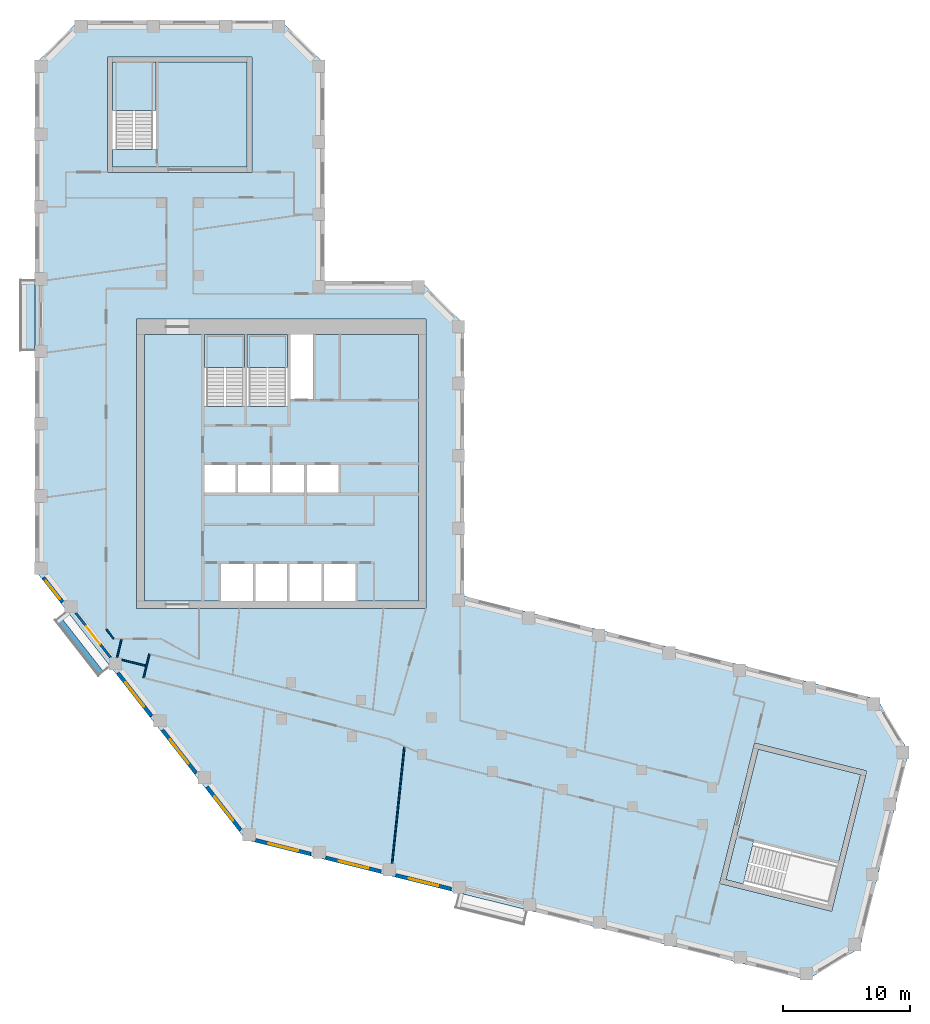
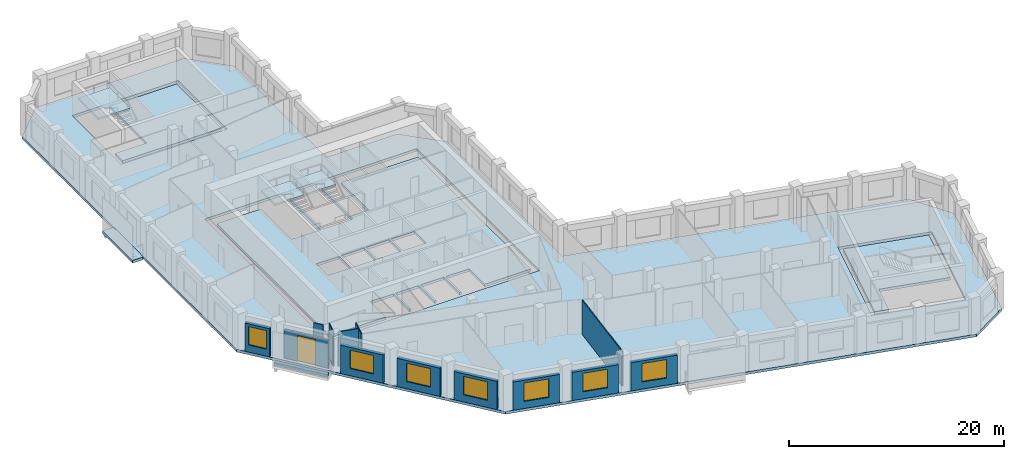
# One storey, part 2 of 9: 14 walls, 8 slabs, 7 windows, 1 door, 8 openings, 3 elements without a shape of their own.
"""IFC4 building model written with IfcOpenShell, lengths in metres."""

from ifc_helpers import new_model, si_unit, direction, frame, frame_2d, origin, place, context, subcontext, project, spatial, polyline, rectangle, outline, extrude, material, layer, layer_set, type_object, element, fill, aggregate, save


model = new_model("IFC4")

# Units and contexts
model_context = context("Model", 3, precision=1e-05, world=origin(), true_north=direction((0.0, 1.0)))
body_context = subcontext(model_context, "Body", "Model", "MODEL_VIEW")
ifc_project = project(units=[si_unit("LENGTHUNIT", "METRE"), si_unit("AREAUNIT", "SQUARE_METRE"), si_unit("VOLUMEUNIT", "CUBIC_METRE"), si_unit("PLANEANGLEUNIT", "RADIAN"), si_unit("MASSUNIT", "GRAM", prefix="KILO")], contexts=[model_context])

# Site, building, storey
site_placement = place(None, origin())
site = spatial("IfcSite", under=ifc_project, at=site_placement, CompositionType="ELEMENT")
building_placement = place(site_placement, origin())
building = spatial("IfcBuilding", under=site, at=building_placement, Name="Meshkara Civic Tower", CompositionType="ELEMENT")
storey_placement = place(building_placement, frame((0.0, 0.0, 319.199951171875)))
storey = spatial("IfcBuildingStorey", under=building, at=storey_placement, Name="L73", CompositionType="ELEMENT", Elevation=319.199951171875)

# Slabs
ifc_material_1 = material(Name="Concrete C40", Category="concrete")
ifc_layer_1 = layer(ifc_material_1, 0.300048828125)
ifc_layer_set_1 = layer_set([ifc_layer_1], Name="BALCONY SLAB")
slab_type_1 = type_object("IfcSlabType", Name="BALCONY SLAB", PredefinedType="FLOOR", material=ifc_layer_set_1)
slab_1_placement = place(storey_placement, frame((0.0, 0.0, -0.300048828125)))
element("IfcSlab", 1, at=slab_1_placement, inside=storey, type_object=slab_type_1, Name="Balcony slab", PredefinedType="FLOOR", context=body_context, shape_type="SweptSolid", body=[
    extrude(outline(polyline([(-1.199951171875, 34.4150390625), (-1.199951171875, 39.9951171875), (-0.050048828125, 39.9951171875), (-0.050048828125, 39.554931640625), (0.0, 39.554931640625), (0.0, 34.85498046875), (-0.050048828125, 34.85498046875), (-0.050048828125, 34.4150390625), (-1.199951171875, 34.4150390625)])), origin(), (0.0, 0.0, 1.0), 0.300048828125),
])
ifc_material_2 = material(Name="Concrete C40/50", Category="concrete")
ifc_layer_2 = layer(ifc_material_2, 0.300048828125)
ifc_layer_set_2 = layer_set([ifc_layer_2], Name="Core floor slab 300 C40/50")
slab_type_2 = type_object("IfcSlabType", Name="Core floor slab 300 C40/50", PredefinedType="FLOOR", material=ifc_layer_set_2)
slab_2_placement = place(storey_placement, frame((0.0, 0.0, -0.300048828125)))
element("IfcSlab", 2, at=slab_2_placement, inside=storey, type_object=slab_type_2, Name="Core floor K", PredefinedType="FLOOR", context=body_context, shape_type="SweptSolid", body=[
    extrude(outline(polyline([(8.60009765625, 35.699951171875), (13.35009765625, 35.699951171875), (13.35009765625, 30.00146484375), (16.5, 30.00146484375), (16.5, 35.699951171875), (16.699951171875, 35.699951171875), (16.699951171875, 30.00146484375), (19.89990234375, 30.00146484375), (19.89990234375, 35.699951171875), (20.10009765625, 35.699951171875), (20.10009765625, 30.574951171875), (21.925048828125, 30.574951171875), (21.925048828125, 35.699951171875), (30.199951171875, 35.699951171875), (30.199951171875, 14.699951171875), (25.25, 14.699951171875), (25.25, 17.60009765625), (22.75, 17.60009765625), (22.75, 14.699951171875), (22.550048828125, 14.699951171875), (22.550048828125, 17.60009765625), (20.050048828125, 17.60009765625), (20.050048828125, 14.699951171875), (19.85009765625, 14.699951171875), (19.85009765625, 17.60009765625), (17.35009765625, 17.60009765625), (17.35009765625, 14.699951171875), (17.14990234375, 14.699951171875), (17.14990234375, 17.60009765625), (14.64990234375, 17.60009765625), (14.64990234375, 14.699951171875), (8.60009765625, 14.699951171875), (8.60009765625, 35.699951171875)]), holes=[polyline([(13.35009765625, 23.25), (15.800048828125, 23.25), (15.800048828125, 25.39990234375), (13.35009765625, 25.39990234375), (13.35009765625, 23.25)]), polyline([(18.5, 23.25), (18.5, 25.39990234375), (16.0, 25.39990234375), (16.0, 23.25), (18.5, 23.25)]), polyline([(18.699951171875, 23.25), (21.199951171875, 23.25), (21.199951171875, 25.39990234375), (18.699951171875, 25.39990234375), (18.699951171875, 23.25)]), polyline([(21.39990234375, 23.25), (23.89990234375, 23.25), (23.89990234375, 25.39990234375), (21.39990234375, 25.39990234375), (21.39990234375, 23.25)])]), origin(), (0.0, 0.0, 1.0), 0.300048828125),
])
slab_3_placement = place(storey_placement, frame((0.0, 0.0, -0.300048828125)))
element("IfcSlab", 3, at=slab_3_placement, inside=storey, type_object=slab_type_2, Name="Core floor EA", PredefinedType="FLOOR", context=body_context, shape_type="SweptSolid", body=[
    extrude(outline(polyline([(16.699951171875, 48.8701171875), (16.699951171875, 57.169921875), (9.5, 57.169921875), (9.5, 50.271484375), (6.10009765625, 50.271484375), (6.10009765625, 48.8701171875), (16.699951171875, 48.8701171875)])), origin(), (0.0, 0.0, 1.0), 0.300048828125),
])
slab_4_placement = place(storey_placement, frame((0.0, 0.0, -0.300048828125)))
element("IfcSlab", 4, at=slab_4_placement, inside=storey, type_object=slab_type_2, Name="Core floor EB", PredefinedType="FLOOR", context=body_context, shape_type="SweptSolid", body=[
    extrude(outline(polyline([(56.989013671875, 3.002197265625), (65.04248046875, 0.994384765625), (63.30078125, -5.99169921875), (56.607177734375, -4.322998046875), (55.78466796875, -7.621826171875), (54.4248046875, -7.282958984375), (56.989013671875, 3.002197265625)])), origin(), (0.0, 0.0, 1.0), 0.300048828125),
])

# Stair, slab
ifc_material_3 = material(Name="Precast concrete C40/50", Category="concrete")
stair_type = type_object("IfcStairType", Name="Exit stair half-turn 24 risers precast", PredefinedType="HALF_TURN_STAIR", material=ifc_material_3)
stair_1_placement = place(storey_placement, origin())
stair_1 = element("IfcStair", 5, at=stair_1_placement, inside=storey, type_object=stair_type, Name="L73 exit stair 1", PredefinedType="HALF_TURN_STAIR")
ifc_material_4 = material(Name="Precast concrete C40/50", Category="concrete")
ifc_layer_3 = layer(ifc_material_4, 0.199951171875)
ifc_layer_set_3 = layer_set([ifc_layer_3], Name="Exit stair landing 200")
slab_type_3 = type_object("IfcSlabType", Name="Exit stair landing 200", PredefinedType="LANDING", material=ifc_layer_set_3)
slab_5_placement = place(storey_placement, frame((0.0, 0.0, 1.900146484375)))
slab_5 = element("IfcSlab", 6, at=slab_5_placement, type_object=slab_type_3, Name="ST1 landing 1", PredefinedType="LANDING", context=body_context, shape_type="SweptSolid", body=[
    extrude(outline(polyline([(16.5, 33.07861328125), (16.5, 35.699951171875), (13.35009765625, 35.699951171875), (13.35009765625, 33.07861328125), (16.5, 33.07861328125)])), origin(), (0.0, 0.0, 1.0), 0.199951171875),
])
aggregate(stair_1, [slab_5])

stair_2_placement = place(storey_placement, origin())
stair_2 = element("IfcStair", 7, at=stair_2_placement, inside=storey, type_object=stair_type, Name="L73 exit stair 2", PredefinedType="HALF_TURN_STAIR")
slab_6_placement = place(storey_placement, frame((0.0, 0.0, 1.900146484375)))
slab_6 = element("IfcSlab", 8, at=slab_6_placement, type_object=slab_type_3, Name="ST2 landing 1", PredefinedType="LANDING", context=body_context, shape_type="SweptSolid", body=[
    extrude(outline(polyline([(19.89990234375, 33.07861328125), (19.89990234375, 35.699951171875), (16.699951171875, 35.699951171875), (16.699951171875, 33.07861328125), (19.89990234375, 33.07861328125)])), origin(), (0.0, 0.0, 1.0), 0.199951171875),
])
aggregate(stair_2, [slab_6])

stair_3_placement = place(storey_placement, origin())
stair_3 = element("IfcStair", 9, at=stair_3_placement, inside=storey, type_object=stair_type, Name="L73 exit stair A from L65", PredefinedType="HALF_TURN_STAIR")
slab_7_placement = place(storey_placement, frame((0.0, 0.0, 1.900146484375)))
slab_7 = element("IfcSlab", 10, at=slab_7_placement, type_object=slab_type_3, Name="ESA5 landing 1", PredefinedType="LANDING", context=body_context, shape_type="SweptSolid", body=[
    extrude(outline(polyline([(9.5, 53.348388671875), (9.5, 57.169921875), (6.10009765625, 57.169921875), (6.10009765625, 53.348388671875), (9.5, 53.348388671875)])), origin(), (0.0, 0.0, 1.0), 0.199951171875),
])
aggregate(stair_3, [slab_7])

# Slab
ifc_material_5 = material(Name="Concrete C50", Category="concrete")
ifc_layer_4 = layer(ifc_material_5, 0.300048828125)
ifc_layer_set_4 = layer_set([ifc_layer_4], Name="Post-tensioned flat slab 300 C50")
slab_type_4 = type_object("IfcSlabType", Name="Post-tensioned flat slab 300 C50", PredefinedType="FLOOR", material=ifc_layer_set_4)
slab_8_placement = place(storey_placement, frame((0.0, 0.0, -0.300048828125)))
element("IfcSlab", 11, at=slab_8_placement, inside=storey, type_object=slab_type_4, Name="Post-tensioned flat slab L73", PredefinedType="FLOOR", context=body_context, shape_type="SweptSolid", body=[
    extrude(outline(polyline([(64.98291015625, -12.677001953125), (60.837890625, -15.1689453125), (16.592041015625, -4.136962890625), (0.0, 17.10009765625), (0.0, 57.0), (3.419921875, 60.419921875), (19.3798828125, 60.419921875), (22.800048828125, 57.0), (22.800048828125, 39.89990234375), (30.3798828125, 39.89990234375), (33.800048828125, 36.47998046875), (33.800048828125, 15.071044921875), (66.35302734375, 6.9541015625), (68.843994140625, 2.80810546875), (64.98291015625, -12.677001953125)]), holes=[polyline([(62.77001953125, -9.77587890625), (65.527099609375, 1.285888671875), (56.697998046875, 3.487060546875), (53.93994140625, -7.573974609375), (62.77001953125, -9.77587890625)]), polyline([(8.0, 14.10009765625), (30.800048828125, 14.10009765625), (30.800048828125, 36.89990234375), (8.0, 36.89990234375), (8.0, 14.10009765625)]), polyline([(5.699951171875, 57.570068359375), (5.699951171875, 48.469970703125), (17.10009765625, 48.469970703125), (17.10009765625, 57.570068359375), (5.699951171875, 57.570068359375)])]), origin(), (0.0, 0.0, 1.0), 0.300048828125),
])

# Walls
ifc_material_6 = material(Name="Corridor wall 100")
ifc_layer_5 = layer(ifc_material_6, 0.10009765625)
ifc_layer_set_5 = layer_set([ifc_layer_5], Name="Corridor wall 100")
wall_type_1 = type_object("IfcWallType", Name="Corridor wall 100", PredefinedType="PARTITIONING", material=ifc_layer_set_5)
wall_1_placement = place(storey_placement, frame((5.60009765625, 12.449951171875, 0.0), z_axis=(0.0, 0.0, 1.0), x_axis=(0.615644041972, -0.788024373725, 0.0)))
element("IfcWall", 12, at=wall_1_placement, inside=storey, type_object=wall_type_1, Name="L73-W004", PredefinedType="PARTITIONING", context=body_context, shape_type="SweptSolid", body=[
    extrude(rectangle(XDim=0.95166015625, YDim=0.10009765625, at=frame_2d((0.475830078125, 0.0))), origin(), (0.0, 0.0, 1.0), 3.900146484375),
])
wall_2_placement = place(storey_placement, frame((9.001953125, 10.4990234375, 0.0), z_axis=(0.0, 0.0, 1.0), x_axis=(-0.241940418317, -0.970291107856, 0.0)))
element("IfcWall", 13, at=wall_2_placement, inside=storey, type_object=wall_type_1, Name="L73-W009", PredefinedType="PARTITIONING", context=body_context, shape_type="SweptSolid", body=[
    extrude(rectangle(XDim=1.930419921875, YDim=0.10009765625, at=frame_2d((0.96533203125, 0.0))), origin(), (0.0, 0.0, 1.0), 3.900146484375),
])

# Wall, opening, window
ifc_material_7 = material(Name="Insulated infill panel with bronze anodised aluminium cladding", Category="aluminium")
ifc_layer_6 = layer(ifc_material_7, 0.300048828125)
ifc_layer_set_6 = layer_set([ifc_layer_6], Name="EXTERNAL INFILL WALL 300")
wall_type_2 = type_object("IfcWallType", Name="EXTERNAL INFILL WALL 300", PredefinedType="SOLIDWALL", material=ifc_layer_set_6)
wall_3_placement = place(storey_placement, frame((0.64599609375, 16.51708984375, 0.0), z_axis=(0.0, 0.0, 1.0), x_axis=(0.615610986717, -0.788050197026, 0.0)))
wall_3 = element("IfcWall", 14, at=wall_3_placement, inside=storey, type_object=wall_type_2, Name="External wall", PredefinedType="SOLIDWALL", context=body_context, shape_type="SweptSolid", body=[
    extrude(rectangle(XDim=2.4365234375, YDim=0.300048828125, at=frame_2d((1.21826171875, 0.0))), origin(), (0.0, 0.0, 1.0), 3.199951171875),
])
opening_1_placement = place(wall_3_placement, frame((0.318115234375, 0.0, 0.800048828125)))
opening_1 = element("IfcOpeningElement", 15, at=opening_1_placement, cuts=wall_3, Name="Opening W9", PredefinedType="OPENING", context=body_context, shape_type="SweptSolid", body=[
    extrude(rectangle(XDim=1.800048828125, YDim=2.10009765625, at=frame_2d((0.89990234375, 1.050048828125))), frame((0.0, 0.159912109375, 0.0), z_axis=(0.0, -1.0, 0.0), x_axis=(1.0, 0.0, 0.0)), (0.0, 0.0, 1.0), 0.320068359375),
])
ifc_material_8 = material(Name="Tinted double glazing", Category="glass")
window_type_1 = type_object("IfcWindowType", Name="WINDOW 1800x2100", PartitioningType="DOUBLE_PANEL_VERTICAL", PredefinedType="WINDOW", material=ifc_material_8)
window_1_placement = place(opening_1_placement, origin())
window_1 = element("IfcWindow", 16, at=window_1_placement, inside=storey, type_object=window_type_1, Name="Window", OverallHeight=2.10009765625, OverallWidth=1.800048828125, PartitioningType="DOUBLE_PANEL_VERTICAL", PredefinedType="WINDOW", context=body_context, shape_type="SweptSolid", body=[
    extrude(rectangle(XDim=1.800048828125, YDim=2.10009765625, at=frame_2d((0.89990234375, 1.050048828125))), frame((0.0, 0.030029296875, 0.0), z_axis=(0.0, -1.0, 0.0), x_axis=(1.0, 0.0, 0.0)), (0.0, 0.0, 1.0), 0.06005859375),
])
fill(opening_1, window_1)

wall_4_placement = place(storey_placement, frame((6.51904296875, 9.0, 0.0), z_axis=(0.0, 0.0, 1.0), x_axis=(0.615634121154, -0.788032124263, 0.0)))
wall_4 = element("IfcWall", 17, at=wall_4_placement, inside=storey, type_object=wall_type_2, Name="External wall", PredefinedType="SOLIDWALL", context=body_context, shape_type="SweptSolid", body=[
    extrude(rectangle(XDim=4.298095703125, YDim=0.300048828125, at=frame_2d((2.14892578125, 0.0))), origin(), (0.0, 0.0, 1.0), 3.199951171875),
])
opening_2_placement = place(wall_4_placement, frame((0.948974609375, 0.0, 0.800048828125)))
opening_2 = element("IfcOpeningElement", 18, at=opening_2_placement, cuts=wall_4, Name="Opening W7", PredefinedType="OPENING", context=body_context, shape_type="SweptSolid", body=[
    extrude(rectangle(XDim=2.39990234375, YDim=2.10009765625, at=frame_2d((1.199951171875, 1.050048828125))), frame((0.0, 0.159912109375, 0.0), z_axis=(0.0, -1.0, 0.0), x_axis=(1.0, 0.0, 0.0)), (0.0, 0.0, 1.0), 0.320068359375),
])
ifc_material_9 = material(Name="Tinted double glazing", Category="glass")
window_type_2 = type_object("IfcWindowType", Name="WINDOW 2400x2100", PartitioningType="DOUBLE_PANEL_VERTICAL", PredefinedType="WINDOW", material=ifc_material_9)
window_2_placement = place(opening_2_placement, origin())
window_2 = element("IfcWindow", 19, at=window_2_placement, inside=storey, type_object=window_type_2, Name="Window", OverallHeight=2.10009765625, OverallWidth=2.39990234375, PartitioningType="DOUBLE_PANEL_VERTICAL", PredefinedType="WINDOW", context=body_context, shape_type="SweptSolid", body=[
    extrude(rectangle(XDim=2.39990234375, YDim=2.10009765625, at=frame_2d((1.199951171875, 1.050048828125))), frame((0.0, 0.030029296875, 0.0), z_axis=(0.0, -1.0, 0.0), x_axis=(1.0, 0.0, 0.0)), (0.0, 0.0, 1.0), 0.06005859375),
])
fill(opening_2, window_2)

wall_5_placement = place(storey_placement, frame((10.029052734375, 4.507080078125, 0.0), z_axis=(0.0, 0.0, 1.0), x_axis=(0.615572343689, -0.788080382756, 0.0)))
wall_5 = element("IfcWall", 20, at=wall_5_placement, inside=storey, type_object=wall_type_2, Name="External wall", PredefinedType="SOLIDWALL", context=body_context, shape_type="SweptSolid", body=[
    extrude(rectangle(XDim=4.295166015625, YDim=0.300048828125, at=frame_2d((2.1474609375, 0.0))), origin(), (0.0, 0.0, 1.0), 3.199951171875),
])
opening_3_placement = place(wall_5_placement, frame((0.947998046875, 0.0, 0.800048828125)))
opening_3 = element("IfcOpeningElement", 21, at=opening_3_placement, cuts=wall_5, Name="Opening W7", PredefinedType="OPENING", context=body_context, shape_type="SweptSolid", body=[
    extrude(rectangle(XDim=2.39990234375, YDim=2.10009765625, at=frame_2d((1.199951171875, 1.050048828125))), frame((0.0, 0.159912109375, 0.0), z_axis=(0.0, -1.0, 0.0), x_axis=(1.0, 0.0, 0.0)), (0.0, 0.0, 1.0), 0.320068359375),
])
window_3_placement = place(opening_3_placement, origin())
window_3 = element("IfcWindow", 22, at=window_3_placement, inside=storey, type_object=window_type_2, Name="Window", OverallHeight=2.10009765625, OverallWidth=2.39990234375, PartitioningType="DOUBLE_PANEL_VERTICAL", PredefinedType="WINDOW", context=body_context, shape_type="SweptSolid", body=[
    extrude(rectangle(XDim=2.39990234375, YDim=2.10009765625, at=frame_2d((1.199951171875, 1.050048828125))), frame((0.0, 0.030029296875, 0.0), z_axis=(0.0, -1.0, 0.0), x_axis=(1.0, 0.0, 0.0)), (0.0, 0.0, 1.0), 0.06005859375),
])
fill(opening_3, window_3)

wall_6_placement = place(storey_placement, frame((13.5380859375, 0.01611328125, 0.0), z_axis=(0.0, 0.0, 1.0), x_axis=(0.615713519567, -0.787970089421, 0.0)))
wall_6 = element("IfcWall", 23, at=wall_6_placement, inside=storey, type_object=wall_type_2, Name="External wall", PredefinedType="SOLIDWALL", context=body_context, shape_type="SweptSolid", body=[
    extrude(rectangle(XDim=4.2958984375, YDim=0.300048828125, at=frame_2d((2.14794921875, 0.0))), origin(), (0.0, 0.0, 1.0), 3.199951171875),
])
opening_4_placement = place(wall_6_placement, frame((0.947998046875, 0.0, 0.800048828125)))
opening_4 = element("IfcOpeningElement", 24, at=opening_4_placement, cuts=wall_6, Name="Opening W7", PredefinedType="OPENING", context=body_context, shape_type="SweptSolid", body=[
    extrude(rectangle(XDim=2.39990234375, YDim=2.10009765625, at=frame_2d((1.199951171875, 1.050048828125))), frame((0.0, 0.159912109375, 0.0), z_axis=(0.0, -1.0, 0.0), x_axis=(1.0, 0.0, 0.0)), (0.0, 0.0, 1.0), 0.320068359375),
])
window_4_placement = place(opening_4_placement, origin())
window_4 = element("IfcWindow", 25, at=window_4_placement, inside=storey, type_object=window_type_2, Name="Window", OverallHeight=2.10009765625, OverallWidth=2.39990234375, PartitioningType="DOUBLE_PANEL_VERTICAL", PredefinedType="WINDOW", context=body_context, shape_type="SweptSolid", body=[
    extrude(rectangle(XDim=2.39990234375, YDim=2.10009765625, at=frame_2d((1.199951171875, 1.050048828125))), frame((0.0, 0.030029296875, 0.0), z_axis=(0.0, -1.0, 0.0), x_axis=(1.0, 0.0, 0.0)), (0.0, 0.0, 1.0), 0.06005859375),
])
fill(opening_4, window_4)

wall_7_placement = place(storey_placement, frame((17.366943359375, -4.176025390625, 0.0), z_axis=(0.0, 0.0, 1.0), x_axis=(0.970327846266, -0.241793032904, 0.0)))
wall_7 = element("IfcWall", 26, at=wall_7_placement, inside=storey, type_object=wall_type_2, Name="External wall", PredefinedType="SOLIDWALL", context=body_context, shape_type="SweptSolid", body=[
    extrude(rectangle(XDim=4.487060546875, YDim=0.300048828125, at=frame_2d((2.24365234375, 0.0))), origin(), (0.0, 0.0, 1.0), 3.199951171875),
])
opening_5_placement = place(wall_7_placement, frame((1.0439453125, 0.0, 0.800048828125)))
opening_5 = element("IfcOpeningElement", 27, at=opening_5_placement, cuts=wall_7, Name="Opening W7", PredefinedType="OPENING", context=body_context, shape_type="SweptSolid", body=[
    extrude(rectangle(XDim=2.39990234375, YDim=2.10009765625, at=frame_2d((1.199951171875, 1.050048828125))), frame((0.0, 0.159912109375, 0.0), z_axis=(0.0, -1.0, 0.0), x_axis=(1.0, 0.0, 0.0)), (0.0, 0.0, 1.0), 0.320068359375),
])
window_5_placement = place(opening_5_placement, origin())
window_5 = element("IfcWindow", 28, at=window_5_placement, inside=storey, type_object=window_type_2, Name="Window", OverallHeight=2.10009765625, OverallWidth=2.39990234375, PartitioningType="DOUBLE_PANEL_VERTICAL", PredefinedType="WINDOW", context=body_context, shape_type="SweptSolid", body=[
    extrude(rectangle(XDim=2.39990234375, YDim=2.10009765625, at=frame_2d((1.199951171875, 1.050048828125))), frame((0.0, 0.030029296875, 0.0), z_axis=(0.0, -1.0, 0.0), x_axis=(1.0, 0.0, 0.0)), (0.0, 0.0, 1.0), 0.06005859375),
])
fill(opening_5, window_5)

wall_8_placement = place(storey_placement, frame((22.89794921875, -5.554931640625, 0.0), z_axis=(0.0, 0.0, 1.0), x_axis=(0.970315118421, -0.24184410467, 0.0)))
wall_8 = element("IfcWall", 29, at=wall_8_placement, inside=storey, type_object=wall_type_2, Name="External wall", PredefinedType="SOLIDWALL", context=body_context, shape_type="SweptSolid", body=[
    extrude(rectangle(XDim=4.486083984375, YDim=0.300048828125, at=frame_2d((2.2431640625, 0.0))), origin(), (0.0, 0.0, 1.0), 3.199951171875),
])
opening_6_placement = place(wall_8_placement, frame((1.0439453125, 0.0, 0.800048828125)))
opening_6 = element("IfcOpeningElement", 30, at=opening_6_placement, cuts=wall_8, Name="Opening W7", PredefinedType="OPENING", context=body_context, shape_type="SweptSolid", body=[
    extrude(rectangle(XDim=2.39990234375, YDim=2.10009765625, at=frame_2d((1.199951171875, 1.050048828125))), frame((0.0, 0.159912109375, 0.0), z_axis=(0.0, -1.0, 0.0), x_axis=(1.0, 0.0, 0.0)), (0.0, 0.0, 1.0), 0.320068359375),
])
window_6_placement = place(opening_6_placement, origin())
window_6 = element("IfcWindow", 31, at=window_6_placement, inside=storey, type_object=window_type_2, Name="Window", OverallHeight=2.10009765625, OverallWidth=2.39990234375, PartitioningType="DOUBLE_PANEL_VERTICAL", PredefinedType="WINDOW", context=body_context, shape_type="SweptSolid", body=[
    extrude(rectangle(XDim=2.39990234375, YDim=2.10009765625, at=frame_2d((1.199951171875, 1.050048828125))), frame((0.0, 0.030029296875, 0.0), z_axis=(0.0, -1.0, 0.0), x_axis=(1.0, 0.0, 0.0)), (0.0, 0.0, 1.0), 0.06005859375),
])
fill(opening_6, window_6)

wall_9_placement = place(storey_placement, frame((28.427978515625, -6.93310546875, 0.0), z_axis=(0.0, 0.0, 1.0), x_axis=(0.970276766004, -0.241997928406, 0.0)))
wall_9 = element("IfcWall", 32, at=wall_9_placement, inside=storey, type_object=wall_type_2, Name="External wall", PredefinedType="SOLIDWALL", context=body_context, shape_type="SweptSolid", body=[
    extrude(rectangle(XDim=4.4873046875, YDim=0.300048828125, at=frame_2d((2.24365234375, 0.0))), origin(), (0.0, 0.0, 1.0), 3.199951171875),
])
opening_7_placement = place(wall_9_placement, frame((1.0439453125, 0.0, 0.800048828125)))
opening_7 = element("IfcOpeningElement", 33, at=opening_7_placement, cuts=wall_9, Name="Opening W7", PredefinedType="OPENING", context=body_context, shape_type="SweptSolid", body=[
    extrude(rectangle(XDim=2.39990234375, YDim=2.10009765625, at=frame_2d((1.199951171875, 1.050048828125))), frame((0.0, 0.159912109375, 0.0), z_axis=(0.0, -1.0, 0.0), x_axis=(1.0, 0.0, 0.0)), (0.0, 0.0, 1.0), 0.320068359375),
])
window_7_placement = place(opening_7_placement, origin())
window_7 = element("IfcWindow", 34, at=window_7_placement, inside=storey, type_object=window_type_2, Name="Window", OverallHeight=2.10009765625, OverallWidth=2.39990234375, PartitioningType="DOUBLE_PANEL_VERTICAL", PredefinedType="WINDOW", context=body_context, shape_type="SweptSolid", body=[
    extrude(rectangle(XDim=2.39990234375, YDim=2.10009765625, at=frame_2d((1.199951171875, 1.050048828125))), frame((0.0, 0.030029296875, 0.0), z_axis=(0.0, -1.0, 0.0), x_axis=(1.0, 0.0, 0.0)), (0.0, 0.0, 1.0), 0.06005859375),
])
fill(opening_7, window_7)

# Wall, opening, door
ifc_material_10 = material(Name="Insulated infill panel with bronze anodised aluminium cladding", Category="aluminium")
ifc_layer_7 = layer(ifc_material_10, 0.199951171875)
ifc_layer_set_7 = layer_set([ifc_layer_7], Name="LOGGIA BACK WALL 200")
wall_type_3 = type_object("IfcWallType", Name="LOGGIA BACK WALL 200", PredefinedType="SOLIDWALL", material=ifc_layer_set_7)
wall_10_placement = place(storey_placement, frame((3.205078125, 13.72900390625, 0.0), z_axis=(0.0, 0.0, 1.0), x_axis=(0.615636557784, -0.788030220689, 0.0)))
wall_10 = element("IfcWall", 35, at=wall_10_placement, inside=storey, type_object=wall_type_3, Name="Loggia wall", PredefinedType="SOLIDWALL", context=body_context, shape_type="SweptSolid", body=[
    extrude(rectangle(XDim=4.43115234375, YDim=0.199951171875, at=frame_2d((2.215576171875, 0.0))), origin(), (0.0, 0.0, 1.0), 3.199951171875),
])
opening_8_placement = place(wall_10_placement, frame((1.31494140625, 0.0, 0.0)))
opening_8 = element("IfcOpeningElement", 36, at=opening_8_placement, cuts=wall_10, Name="Opening L73-L002", PredefinedType="OPENING", context=body_context, shape_type="SweptSolid", body=[
    extrude(rectangle(XDim=1.800048828125, YDim=2.89990234375, at=frame_2d((0.89990234375, 1.449951171875))), frame((0.0, 0.10986328125, 0.0), z_axis=(0.0, -1.0, 0.0), x_axis=(1.0, 0.0, 0.0)), (0.0, 0.0, 1.0), 0.219970703125),
])
ifc_material_11 = material(Name="Tinted double glazing", Category="glass")
door_type = type_object("IfcDoorType", Name="LOGGIA DOOR 1800x2900", OperationType="DOUBLE_DOOR_SINGLE_SWING", PredefinedType="DOOR", material=ifc_material_11)
door_placement = place(opening_8_placement, origin())
door = element("IfcDoor", 37, at=door_placement, inside=storey, type_object=door_type, Name="L73-L002", OperationType="DOUBLE_DOOR_SINGLE_SWING", OverallHeight=2.89990234375, OverallWidth=1.800048828125, PredefinedType="DOOR", context=body_context, shape_type="SweptSolid", body=[
    extrude(rectangle(XDim=1.800048828125, YDim=2.89990234375, at=frame_2d((0.89990234375, 1.449951171875))), frame((0.0, 0.02490234375, 0.0), z_axis=(0.0, -1.0, 0.0), x_axis=(1.0, 0.0, 0.0)), (0.0, 0.0, 1.0), 0.050048828125),
])
fill(opening_8, door)

# Walls
ifc_material_12 = material(Name="Concrete C40", Category="concrete")
ifc_layer_8 = layer(ifc_material_12, 0.39990234375)
ifc_layer_set_8 = layer_set([ifc_layer_8], Name="PLANTER TRAY")
wall_type_4 = type_object("IfcWallType", Name="PLANTER TRAY", PredefinedType="SOLIDWALL", material=ifc_layer_set_8)
wall_11_placement = place(storey_placement, frame((1.87109375, 13.27587890625, 0.0), z_axis=(0.0, 0.0, 1.0), x_axis=(0.615632551218, -0.788033350741, 0.0)))
element("IfcWall", 38, at=wall_11_placement, inside=storey, type_object=wall_type_4, Name="Planter", PredefinedType="SOLIDWALL", context=body_context, shape_type="SweptSolid", body=[
    extrude(rectangle(XDim=5.360107421875, YDim=0.39990234375, at=frame_2d((2.68017578125, 0.0))), origin(), (0.0, 0.0, 1.0), 0.300048828125),
])
ifc_material_13 = material(Name="Partition 100")
ifc_layer_9 = layer(ifc_material_13, 0.10009765625)
ifc_layer_set_9 = layer_set([ifc_layer_9], Name="Partition 100")
wall_type_5 = type_object("IfcWallType", Name="Partition 100", PredefinedType="PARTITIONING", material=ifc_layer_set_9)
wall_12_placement = place(storey_placement, frame((6.797119140625, 11.637939453125, 0.0), z_axis=(0.0, 0.0, 1.0), x_axis=(-0.242456058691, -0.970162388265, 0.0)))
element("IfcWall", 39, at=wall_12_placement, inside=storey, type_object=wall_type_5, Name="L73-W040", PredefinedType="PARTITIONING", context=body_context, shape_type="SweptSolid", body=[
    extrude(rectangle(XDim=1.44384765625, YDim=0.10009765625, at=frame_2d((0.721923828125, 0.0))), origin(), (0.0, 0.0, 1.0), 3.900146484375),
])
wall_13_placement = place(storey_placement, frame((8.719970703125, 9.574951171875, 0.0), z_axis=(0.0, 0.0, 1.0), x_axis=(-0.970274576003, 0.242006708918, 0.0)))
element("IfcWall", 40, at=wall_13_placement, inside=storey, type_object=wall_type_5, Name="L73-W041", PredefinedType="PARTITIONING", context=body_context, shape_type="SweptSolid", body=[
    extrude(rectangle(XDim=1.955078125, YDim=0.10009765625, at=frame_2d((0.9775390625, 0.0))), origin(), (0.0, 0.0, 1.0), 3.900146484375),
])
wall_14_placement = place(storey_placement, frame((28.126953125, -5.99609375, 0.0), z_axis=(0.0, 0.0, 1.0), x_axis=(0.104490376754, 0.994525897685, 0.0)))
element("IfcWall", 41, at=wall_14_placement, inside=storey, type_object=wall_type_5, Name="L73-W049", PredefinedType="PARTITIONING", context=body_context, shape_type="SweptSolid", body=[
    extrude(rectangle(XDim=9.217529296875, YDim=0.10009765625, at=frame_2d((4.60888671875, 0.0))), origin(), (0.0, 0.0, 1.0), 3.900146484375),
])

save(model, "model.ifc")
